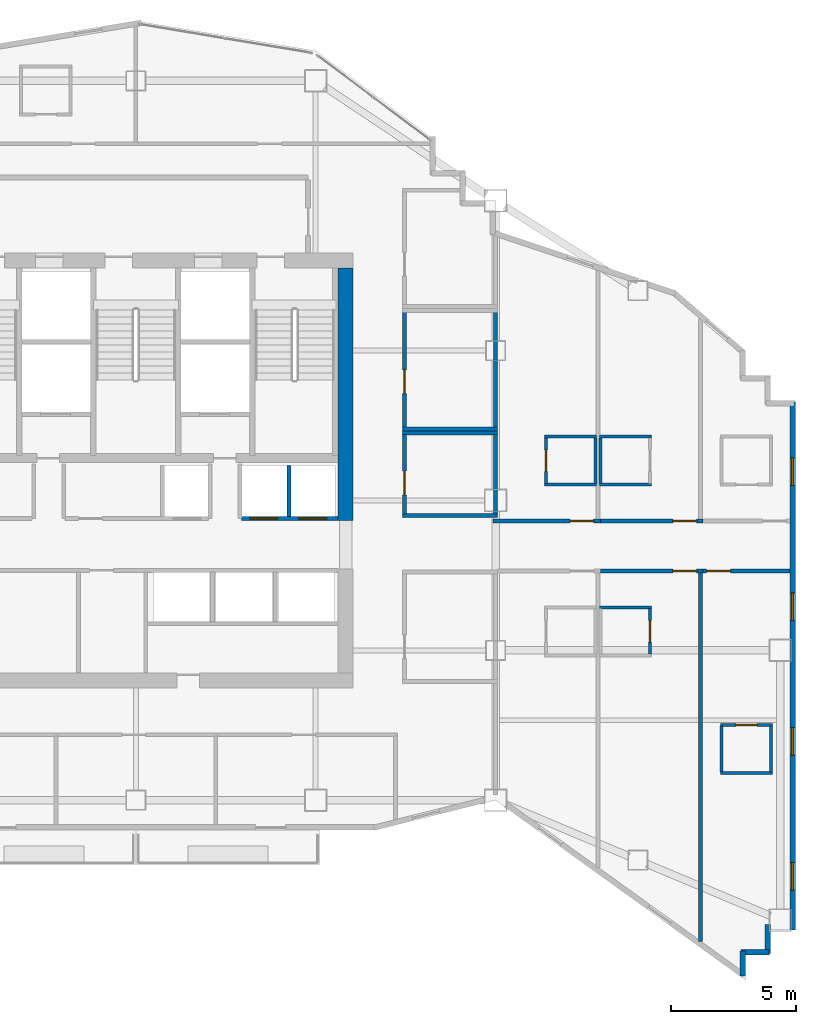
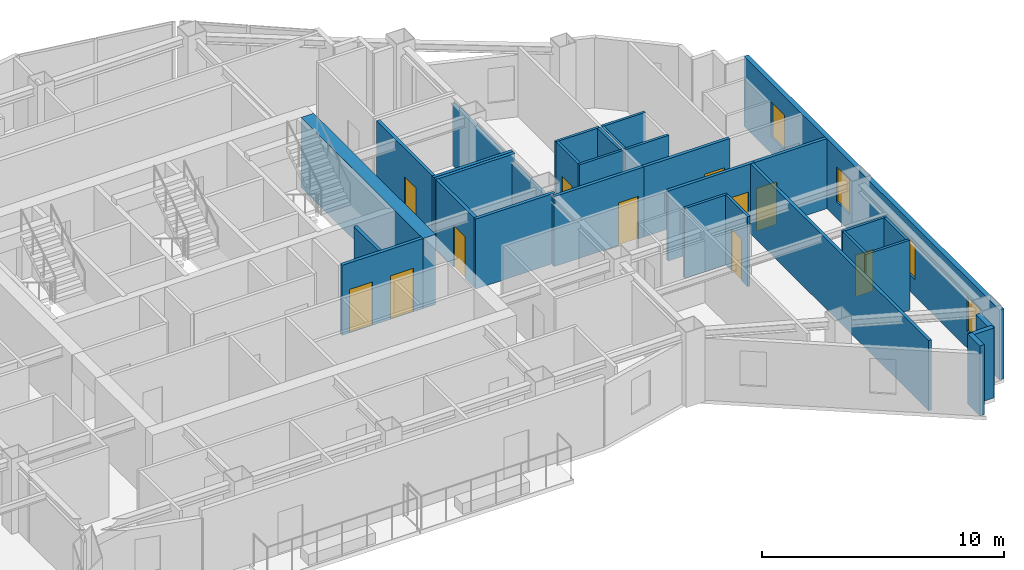
# One storey, part 8 of 11: 32 walls, 11 doors, 4 windows, 15 openings.
"""IFC4 building model written with IfcOpenShell, lengths in metres."""

from ifc_helpers import new_model, si_unit, direction, frame, frame_2d, origin, place, context, subcontext, project, spatial, rectangle, extrude, material, layer, layer_set, type_object, element, fill, save


model = new_model("IFC4")

# Units and contexts
model_context = context("Model", 3, precision=1e-05, world=origin(), true_north=direction((0.0, 1.0)))
body_context = subcontext(model_context, "Body", "Model", "MODEL_VIEW")
ifc_project = project(units=[si_unit("LENGTHUNIT", "METRE"), si_unit("AREAUNIT", "SQUARE_METRE"), si_unit("VOLUMEUNIT", "CUBIC_METRE"), si_unit("PLANEANGLEUNIT", "RADIAN"), si_unit("MASSUNIT", "GRAM", prefix="KILO")], contexts=[model_context])

# Site, building, storey
site_placement = place(None, origin())
site = spatial("IfcSite", under=ifc_project, at=site_placement, CompositionType="ELEMENT")
building_placement = place(site_placement, origin())
building = spatial("IfcBuilding", under=site, at=building_placement, Name="Haolan Belvedere Tower", CompositionType="ELEMENT")
storey_placement = place(building_placement, frame((0.0, 0.0, 226.800048828125)))
storey = spatial("IfcBuildingStorey", under=building, at=storey_placement, Name="L57", CompositionType="ELEMENT", Elevation=226.800048828125)

# Walls
ifc_material_1 = material(Name="Concrete C60/75", Category="concrete")
ifc_layer_1 = layer(ifc_material_1, 0.60009765625, Name="Concrete C60/75")
ifc_layer_set_1 = layer_set([ifc_layer_1], Name="Concrete C60/75")
wall_type_1 = type_object("IfcWallType", Name="WL-CORE-600", PredefinedType="SHEAR", material=ifc_layer_set_1)
wall_1_placement = place(storey_placement, frame((46.800048828125, 32.800048828125, 0.0), z_axis=(0.0, 0.0, 1.0), x_axis=(0.0, 1.0, 0.0)))
element("IfcWall", 1, at=wall_1_placement, inside=storey, type_object=wall_type_1, Name="L57 central core shear wall EN", PredefinedType="SHEAR", context=body_context, shape_type="SweptSolid", body=[
    extrude(rectangle(XDim=10.099853515625, YDim=0.60009765625, at=frame_2d((5.0498046875, 0.0))), origin(), (0.0, 0.0, 1.0), 3.5400390625),
])
ifc_material_2 = material(Name="Precast concrete C40/50", Category="concrete")
ifc_layer_2 = layer(ifc_material_2, 0.219970703125, Name="Precast concrete C40/50")
ifc_layer_set_2 = layer_set([ifc_layer_2], Name="Precast concrete C40/50")
wall_type_2 = type_object("IfcWallType", Name="WL-EXT-220", PredefinedType="SOLIDWALL", material=ifc_layer_set_2)
wall_2_placement = place(storey_placement, frame((62.68994140625, 14.559814453125, 0.0), z_axis=(0.0, 0.0, 1.0), x_axis=(0.0, 1.0, 0.0)))
element("IfcWall", 2, at=wall_2_placement, inside=storey, type_object=wall_type_2, Name="L57 pale-metal exterior spandrel wall 4.1", PredefinedType="SOLIDWALL", context=body_context, shape_type="SweptSolid", body=[
    extrude(rectangle(XDim=1.005126953125, YDim=0.219970703125, at=frame_2d((0.50244140625, 0.0))), origin(), (0.0, 0.0, 1.0), 3.5400390625),
])
wall_3_placement = place(storey_placement, frame((62.635009765625, 15.510009765625, 0.0), z_axis=(0.0, 0.0, 1.0), x_axis=(1.0, 0.0, 0.0)))
element("IfcWall", 3, at=wall_3_placement, inside=storey, type_object=wall_type_2, Name="L57 pale-metal exterior spandrel wall 5.1", PredefinedType="SOLIDWALL", context=body_context, shape_type="SweptSolid", body=[
    extrude(rectangle(XDim=1.110107421875, YDim=0.219970703125, at=frame_2d((0.55517578125, 0.0))), origin(), (0.0, 0.0, 1.0), 3.5400390625),
])
wall_4_placement = place(storey_placement, frame((63.68994140625, 15.455078125, 0.0), z_axis=(0.0, 0.0, 1.0), x_axis=(0.0, 1.0, 0.0)))
element("IfcWall", 4, at=wall_4_placement, inside=storey, type_object=wall_type_2, Name="L57 pale-metal exterior spandrel wall 6.1", PredefinedType="SOLIDWALL", context=body_context, shape_type="SweptSolid", body=[
    extrude(rectangle(XDim=1.1650390625, YDim=0.219970703125, at=frame_2d((0.58251953125, 0.0))), origin(), (0.0, 0.0, 1.0), 3.5400390625),
])

# Wall, openings, windows
wall_5_placement = place(storey_placement, frame((64.68994140625, 16.39990234375, 0.0), z_axis=(0.0, 0.0, 1.0), x_axis=(0.0, 1.0, 0.0)))
wall_5 = element("IfcWall", 5, at=wall_5_placement, inside=storey, type_object=wall_type_2, Name="L57 pale-metal exterior spandrel wall 8.1", PredefinedType="SOLIDWALL", context=body_context, shape_type="SweptSolid", body=[
    extrude(rectangle(XDim=21.14501953125, YDim=0.219970703125, at=frame_2d((10.572509765625, 0.0))), origin(), (0.0, 0.0, 1.0), 3.5400390625),
])
opening_1_placement = place(wall_5_placement, frame((1.60009765625, 0.0, 0.85009765625)))
opening_1 = element("IfcOpeningElement", 6, at=opening_1_placement, cuts=wall_5, Name="Opening W-03", PredefinedType="OPENING", context=body_context, shape_type="SweptSolid", body=[
    extrude(rectangle(XDim=1.10009765625, YDim=1.75, at=frame_2d((0.550048828125, 0.875))), frame((0.0, 0.119873046875, 0.0), z_axis=(0.0, -1.0, 0.0), x_axis=(1.0, 0.0, 0.0)), (0.0, 0.0, 1.0), 0.239990234375),
])
opening_2_placement = place(wall_5_placement, frame((7.0, 0.0, 0.85009765625)))
opening_2 = element("IfcOpeningElement", 7, at=opening_2_placement, cuts=wall_5, Name="Opening W-03", PredefinedType="OPENING", context=body_context, shape_type="SweptSolid", body=[
    extrude(rectangle(XDim=1.10009765625, YDim=1.75, at=frame_2d((0.550048828125, 0.875))), frame((0.0, 0.119873046875, 0.0), z_axis=(0.0, -1.0, 0.0), x_axis=(1.0, 0.0, 0.0)), (0.0, 0.0, 1.0), 0.239990234375),
])
opening_3_placement = place(wall_5_placement, frame((12.39990234375, 0.0, 0.85009765625)))
opening_3 = element("IfcOpeningElement", 8, at=opening_3_placement, cuts=wall_5, Name="Opening W-03", PredefinedType="OPENING", context=body_context, shape_type="SweptSolid", body=[
    extrude(rectangle(XDim=1.10009765625, YDim=1.75, at=frame_2d((0.550048828125, 0.875))), frame((0.0, 0.119873046875, 0.0), z_axis=(0.0, -1.0, 0.0), x_axis=(1.0, 0.0, 0.0)), (0.0, 0.0, 1.0), 0.239990234375),
])
opening_4_placement = place(wall_5_placement, frame((17.800048828125, 0.0, 0.85009765625)))
opening_4 = element("IfcOpeningElement", 9, at=opening_4_placement, cuts=wall_5, Name="Opening W-03", PredefinedType="OPENING", context=body_context, shape_type="SweptSolid", body=[
    extrude(rectangle(XDim=1.10009765625, YDim=1.75, at=frame_2d((0.550048828125, 0.875))), frame((0.0, 0.119873046875, 0.0), z_axis=(0.0, -1.0, 0.0), x_axis=(1.0, 0.0, 0.0)), (0.0, 0.0, 1.0), 0.239990234375),
])
ifc_material_3 = material(Name="Anodised aluminium 6063-T6 and Low-E glass", Category="aluminium")
window_type = type_object("IfcWindowType", Name="WN-DECO-Z3", PartitioningType="SINGLE_PANEL", PredefinedType="WINDOW", material=ifc_material_3)
window_1_placement = place(opening_1_placement, origin())
window_1 = element("IfcWindow", 10, at=window_1_placement, inside=storey, type_object=window_type, Name="L57 Art Deco chevron window 1", OverallHeight=1.75, OverallWidth=1.10009765625, PartitioningType="SINGLE_PANEL", PredefinedType="WINDOW", context=body_context, shape_type="SweptSolid", body=[
    extrude(rectangle(XDim=1.10009765625, YDim=1.75, at=frame_2d((0.550048828125, 0.875))), frame((0.0, 0.030029296875, 0.0), z_axis=(0.0, -1.0, 0.0), x_axis=(1.0, 0.0, 0.0)), (0.0, 0.0, 1.0), 0.06005859375),
])
fill(opening_1, window_1)
window_2_placement = place(opening_2_placement, origin())
window_2 = element("IfcWindow", 11, at=window_2_placement, inside=storey, type_object=window_type, Name="L57 Art Deco chevron window 2", OverallHeight=1.75, OverallWidth=1.10009765625, PartitioningType="SINGLE_PANEL", PredefinedType="WINDOW", context=body_context, shape_type="SweptSolid", body=[
    extrude(rectangle(XDim=1.10009765625, YDim=1.75, at=frame_2d((0.550048828125, 0.875))), frame((0.0, 0.030029296875, 0.0), z_axis=(0.0, -1.0, 0.0), x_axis=(1.0, 0.0, 0.0)), (0.0, 0.0, 1.0), 0.06005859375),
])
fill(opening_2, window_2)
window_3_placement = place(opening_3_placement, origin())
window_3 = element("IfcWindow", 12, at=window_3_placement, inside=storey, type_object=window_type, Name="L57 Art Deco chevron window 3", OverallHeight=1.75, OverallWidth=1.10009765625, PartitioningType="SINGLE_PANEL", PredefinedType="WINDOW", context=body_context, shape_type="SweptSolid", body=[
    extrude(rectangle(XDim=1.10009765625, YDim=1.75, at=frame_2d((0.550048828125, 0.875))), frame((0.0, 0.030029296875, 0.0), z_axis=(0.0, -1.0, 0.0), x_axis=(1.0, 0.0, 0.0)), (0.0, 0.0, 1.0), 0.06005859375),
])
fill(opening_3, window_3)
window_4_placement = place(opening_4_placement, origin())
window_4 = element("IfcWindow", 13, at=window_4_placement, inside=storey, type_object=window_type, Name="L57 Art Deco chevron window 4", OverallHeight=1.75, OverallWidth=1.10009765625, PartitioningType="SINGLE_PANEL", PredefinedType="WINDOW", context=body_context, shape_type="SweptSolid", body=[
    extrude(rectangle(XDim=1.10009765625, YDim=1.75, at=frame_2d((0.550048828125, 0.875))), frame((0.0, 0.030029296875, 0.0), z_axis=(0.0, -1.0, 0.0), x_axis=(1.0, 0.0, 0.0)), (0.0, 0.0, 1.0), 0.06005859375),
])
fill(opening_4, window_4)

# Walls
ifc_material_4 = material(Name="Double gypsum acoustic stud partition", Category="masonry")
ifc_layer_3 = layer(ifc_material_4, 0.14990234375, Name="Double gypsum acoustic stud partition")
ifc_layer_set_3 = layer_set([ifc_layer_3], Name="Double gypsum acoustic stud partition")
wall_type_3 = type_object("IfcWallType", Name="WL-PART-150", PredefinedType="PARTITIONING", material=ifc_layer_set_3)
for number, where, z_axis, x_axis, name in (
    (14, (49.080078125, 36.300048828125, 0.0), (0.0, 0.0, 1.0), (1.0, 0.0, 0.0), "L57 interior partition IW-L57-AWC-N"),
    (15, (49.080078125, 33.0, 0.0), (0.0, 0.0, 1.0), (1.0, 0.0, 0.0), "L57 interior partition IW-L57-AWC-S"),
):
    element("IfcWall", number, at=place(storey_placement, frame(where, z_axis=z_axis, x_axis=x_axis)), inside=storey, type_object=wall_type_3, Name=name, PredefinedType="PARTITIONING", context=body_context, shape_type="SweptSolid", body=[
        extrude(rectangle(XDim=3.7998046875, YDim=0.14990234375, at=frame_2d((1.89990234375, 0.0))), origin(), (0.0, 0.0, 1.0), 3.5400390625),
    ])

# Wall, opening, door
wall_6_placement = place(storey_placement, frame((49.159912109375, 33.06005859375, 0.0), z_axis=(0.0, 0.0, 1.0), x_axis=(0.0, 1.0, 0.0)))
wall_6 = element("IfcWall", 16, at=wall_6_placement, inside=storey, type_object=wall_type_3, Name="L57 interior partition IW-L57-AWC-W", PredefinedType="PARTITIONING", context=body_context, shape_type="SweptSolid", body=[
    extrude(rectangle(XDim=3.179931640625, YDim=0.14990234375, at=frame_2d((1.58984375, 0.0))), origin(), (0.0, 0.0, 1.0), 3.5400390625),
])
opening_5_placement = place(wall_6_placement, frame((0.760009765625, 0.0, 0.0)))
opening_5 = element("IfcOpeningElement", 17, at=opening_5_placement, cuts=wall_6, Name="Opening ID-03", PredefinedType="OPENING", context=body_context, shape_type="SweptSolid", body=[
    extrude(rectangle(XDim=0.949951171875, YDim=2.1201171875, at=frame_2d((0.47509765625, 1.06005859375))), frame((0.0, 0.0849609375, 0.0), z_axis=(0.0, -1.0, 0.0), x_axis=(1.0, 0.0, 0.0)), (0.0, 0.0, 1.0), 0.169921875),
])
ifc_material_5 = material(Name="Painted solid-core timber", Category="wood")
door_type_1 = type_object("IfcDoorType", Name="DR-INT-950", OperationType="NOTDEFINED", PredefinedType="DOOR", material=ifc_material_5)
door_1_placement = place(opening_5_placement, origin())
door_1 = element("IfcDoor", 18, at=door_1_placement, inside=storey, type_object=door_type_1, Name="L57 door ID-L57-AWC", OperationType="SINGLE_SWING_LEFT", OverallHeight=2.1201171875, OverallWidth=0.949951171875, PredefinedType="DOOR", context=body_context, shape_type="SweptSolid", body=[
    extrude(rectangle(XDim=0.949951171875, YDim=2.1201171875, at=frame_2d((0.47509765625, 1.06005859375))), frame((0.0, 0.02490234375, 0.0), z_axis=(0.0, -1.0, 0.0), x_axis=(1.0, 0.0, 0.0)), (0.0, 0.0, 1.0), 0.050048828125),
])
fill(opening_5, door_1)

# Walls
wall_7_placement = place(storey_placement, frame((52.800048828125, 33.06005859375, 0.0), z_axis=(0.0, 0.0, 1.0), x_axis=(0.0, 1.0, 0.0)))
element("IfcWall", 19, at=wall_7_placement, inside=storey, type_object=wall_type_3, Name="L57 interior partition IW-L57-AWC-E", PredefinedType="PARTITIONING", context=body_context, shape_type="SweptSolid", body=[
    extrude(rectangle(XDim=3.179931640625, YDim=0.14990234375, at=frame_2d((1.58984375, 0.0))), origin(), (0.0, 0.0, 1.0), 3.135009765625),
])
wall_8_placement = place(storey_placement, frame((49.080078125, 36.4599609375, 0.0), z_axis=(0.0, 0.0, 1.0), x_axis=(1.0, 0.0, 0.0)))
element("IfcWall", 20, at=wall_8_placement, inside=storey, type_object=wall_type_3, Name="L57 interior partition IW-L57-STY-S", PredefinedType="PARTITIONING", context=body_context, shape_type="SweptSolid", body=[
    extrude(rectangle(XDim=3.7998046875, YDim=0.14990234375, at=frame_2d((1.89990234375, 0.0))), origin(), (0.0, 0.0, 1.0), 3.5400390625),
])

# Wall, opening, door
wall_9_placement = place(storey_placement, frame((49.159912109375, 36.52001953125, 0.0), z_axis=(0.0, 0.0, 1.0), x_axis=(0.0, 1.0, 0.0)))
wall_9 = element("IfcWall", 21, at=wall_9_placement, inside=storey, type_object=wall_type_3, Name="L57 interior partition IW-L57-STY-W", PredefinedType="PARTITIONING", context=body_context, shape_type="SweptSolid", body=[
    extrude(rectangle(XDim=4.619873046875, YDim=0.14990234375, at=frame_2d((2.31005859375, 0.0))), origin(), (0.0, 0.0, 1.0), 3.5400390625),
])
opening_6_placement = place(wall_9_placement, frame((1.360107421875, 0.0, 0.0)))
opening_6 = element("IfcOpeningElement", 22, at=opening_6_placement, cuts=wall_9, Name="Opening ID-03", PredefinedType="OPENING", context=body_context, shape_type="SweptSolid", body=[
    extrude(rectangle(XDim=0.949951171875, YDim=2.1201171875, at=frame_2d((0.47509765625, 1.06005859375))), frame((0.0, 0.0849609375, 0.0), z_axis=(0.0, -1.0, 0.0), x_axis=(1.0, 0.0, 0.0)), (0.0, 0.0, 1.0), 0.169921875),
])
door_2_placement = place(opening_6_placement, origin())
door_2 = element("IfcDoor", 23, at=door_2_placement, inside=storey, type_object=door_type_1, Name="L57 door ID-L57-STY", OperationType="SINGLE_SWING_RIGHT", OverallHeight=2.1201171875, OverallWidth=0.949951171875, PredefinedType="DOOR", context=body_context, shape_type="SweptSolid", body=[
    extrude(rectangle(XDim=0.949951171875, YDim=2.1201171875, at=frame_2d((0.47509765625, 1.06005859375))), frame((0.0, 0.02490234375, 0.0), z_axis=(0.0, -1.0, 0.0), x_axis=(1.0, 0.0, 0.0)), (0.0, 0.0, 1.0), 0.050048828125),
])
fill(opening_6, door_2)

# Wall
wall_10_placement = place(storey_placement, frame((52.800048828125, 36.52001953125, 0.0), z_axis=(0.0, 0.0, 1.0), x_axis=(0.0, 1.0, 0.0)))
element("IfcWall", 24, at=wall_10_placement, inside=storey, type_object=wall_type_3, Name="L57 interior partition IW-L57-STY-E", PredefinedType="PARTITIONING", context=body_context, shape_type="SweptSolid", body=[
    extrude(rectangle(XDim=4.619873046875, YDim=0.14990234375, at=frame_2d((2.31005859375, 0.0))), origin(), (0.0, 0.0, 1.0), 3.135009765625),
])

# Wall, opening, door
wall_11_placement = place(storey_placement, frame((52.699951171875, 32.780029296875, 0.0), z_axis=(0.0, 0.0, 1.0), x_axis=(1.0, 0.0, 0.0)))
wall_11 = element("IfcWall", 25, at=wall_11_placement, inside=storey, type_object=wall_type_3, Name="L57 interior partition IW-L57-T4N1-S", PredefinedType="PARTITIONING", context=body_context, shape_type="SweptSolid", body=[
    extrude(rectangle(XDim=4.300048828125, YDim=0.14990234375, at=frame_2d((2.14990234375, 0.0))), origin(), (0.0, 0.0, 1.0), 3.5400390625),
])
opening_7_placement = place(wall_11_placement, frame((3.081787109375, 0.0, 0.0)))
opening_7 = element("IfcOpeningElement", 26, at=opening_7_placement, cuts=wall_11, Name="Opening ID-02", PredefinedType="OPENING", context=body_context, shape_type="SweptSolid", body=[
    extrude(rectangle(XDim=0.949951171875, YDim=2.14990234375, at=frame_2d((0.47509765625, 1.074951171875))), frame((0.0, 0.0849609375, 0.0), z_axis=(0.0, -1.0, 0.0), x_axis=(1.0, 0.0, 0.0)), (0.0, 0.0, 1.0), 0.169921875),
])
ifc_material_6 = material(Name="Acoustic oak veneer fire-rated timber", Category="wood")
door_type_2 = type_object("IfcDoorType", Name="DR-GUEST-950", OperationType="NOTDEFINED", PredefinedType="DOOR", material=ifc_material_6)
door_3_placement = place(opening_7_placement, origin())
door_3 = element("IfcDoor", 27, at=door_3_placement, inside=storey, type_object=door_type_2, Name="L57 door ID-L57-T4N1-ENT", OperationType="SINGLE_SWING_LEFT", OverallHeight=2.14990234375, OverallWidth=0.949951171875, PredefinedType="DOOR", context=body_context, shape_type="SweptSolid", body=[
    extrude(rectangle(XDim=0.949951171875, YDim=2.14990234375, at=frame_2d((0.47509765625, 1.074951171875))), frame((0.0, 0.02490234375, 0.0), z_axis=(0.0, -1.0, 0.0), x_axis=(1.0, 0.0, 0.0)), (0.0, 0.0, 1.0), 0.050048828125),
])
fill(opening_7, door_3)

wall_12_placement = place(storey_placement, frame((57.001953125, 32.780029296875, 0.0), z_axis=(0.0, 0.0, 1.0), x_axis=(1.0, 0.0, 0.0)))
wall_12 = element("IfcWall", 28, at=wall_12_placement, inside=storey, type_object=wall_type_3, Name="L57 interior partition IW-L57-T4N2-S", PredefinedType="PARTITIONING", context=body_context, shape_type="SweptSolid", body=[
    extrude(rectangle(XDim=4.108154296875, YDim=0.14990234375, at=frame_2d((2.05419921875, 0.0))), origin(), (0.0, 0.0, 1.0), 3.5400390625),
])
opening_8_placement = place(wall_12_placement, frame((2.896484375, 0.0, 0.0)))
opening_8 = element("IfcOpeningElement", 29, at=opening_8_placement, cuts=wall_12, Name="Opening ID-02", PredefinedType="OPENING", context=body_context, shape_type="SweptSolid", body=[
    extrude(rectangle(XDim=0.949951171875, YDim=2.14990234375, at=frame_2d((0.47509765625, 1.074951171875))), frame((0.0, 0.0849609375, 0.0), z_axis=(0.0, -1.0, 0.0), x_axis=(1.0, 0.0, 0.0)), (0.0, 0.0, 1.0), 0.169921875),
])
door_4_placement = place(opening_8_placement, origin())
door_4 = element("IfcDoor", 30, at=door_4_placement, inside=storey, type_object=door_type_2, Name="L57 door ID-L57-T4N2-ENT", OperationType="SINGLE_SWING_RIGHT", OverallHeight=2.14990234375, OverallWidth=0.949951171875, PredefinedType="DOOR", context=body_context, shape_type="SweptSolid", body=[
    extrude(rectangle(XDim=0.949951171875, YDim=2.14990234375, at=frame_2d((0.47509765625, 1.074951171875))), frame((0.0, 0.02490234375, 0.0), z_axis=(0.0, -1.0, 0.0), x_axis=(1.0, 0.0, 0.0)), (0.0, 0.0, 1.0), 0.050048828125),
])
fill(opening_8, door_4)

wall_13_placement = place(storey_placement, frame((57.001953125, 30.77001953125, 0.0), z_axis=(0.0, 0.0, 1.0), x_axis=(1.0, 0.0, 0.0)))
wall_13 = element("IfcWall", 31, at=wall_13_placement, inside=storey, type_object=wall_type_3, Name="L57 interior partition IW-L57-T4S2-N", PredefinedType="PARTITIONING", context=body_context, shape_type="SweptSolid", body=[
    extrude(rectangle(XDim=4.108154296875, YDim=0.14990234375, at=frame_2d((2.05419921875, 0.0))), origin(), (0.0, 0.0, 1.0), 3.5400390625),
])
opening_9_placement = place(wall_13_placement, frame((3.846435546875, 0.0, 0.0), z_axis=(0.0, 0.0, 1.0), x_axis=(-1.0, 0.0, 0.0)))
opening_9 = element("IfcOpeningElement", 32, at=opening_9_placement, cuts=wall_13, Name="Opening ID-02", PredefinedType="OPENING", context=body_context, shape_type="SweptSolid", body=[
    extrude(rectangle(XDim=0.949951171875, YDim=2.14990234375, at=frame_2d((0.47509765625, 1.074951171875))), frame((0.0, 0.0849609375, 0.0), z_axis=(0.0, -1.0, 0.0), x_axis=(1.0, 0.0, 0.0)), (0.0, 0.0, 1.0), 0.169921875),
])
door_5_placement = place(opening_9_placement, origin())
door_5 = element("IfcDoor", 33, at=door_5_placement, inside=storey, type_object=door_type_2, Name="L57 door ID-L57-T4S2-ENT", OperationType="SINGLE_SWING_LEFT", OverallHeight=2.14990234375, OverallWidth=0.949951171875, PredefinedType="DOOR", context=body_context, shape_type="SweptSolid", body=[
    extrude(rectangle(XDim=0.949951171875, YDim=2.14990234375, at=frame_2d((0.47509765625, 1.074951171875))), frame((0.0, 0.02490234375, 0.0), z_axis=(0.0, -1.0, 0.0), x_axis=(1.0, 0.0, 0.0)), (0.0, 0.0, 1.0), 0.050048828125),
])
fill(opening_9, door_5)

# Wall
wall_14_placement = place(storey_placement, frame((61.010009765625, 15.949951171875, 0.0), z_axis=(0.0, 0.0, 1.0), x_axis=(0.0, 1.0, 0.0)))
element("IfcWall", 34, at=wall_14_placement, inside=storey, type_object=wall_type_3, Name="L57 interior partition IW-L57-T4S2-E", PredefinedType="PARTITIONING", context=body_context, shape_type="SweptSolid", body=[
    extrude(rectangle(XDim=14.760009765625, YDim=0.14990234375, at=frame_2d((7.3798828125, 0.0))), origin(), (0.0, 0.0, 1.0), 3.5400390625),
])

# Wall, opening, door
wall_15_placement = place(storey_placement, frame((61.112060546875, 30.77001953125, 0.0), z_axis=(0.0, 0.0, 1.0), x_axis=(1.0, 0.0, 0.0)))
wall_15 = element("IfcWall", 35, at=wall_15_placement, inside=storey, type_object=wall_type_3, Name="L57 interior partition IW-L57-T4S3-N", PredefinedType="PARTITIONING", context=body_context, shape_type="SweptSolid", body=[
    extrude(rectangle(XDim=3.475830078125, YDim=0.14990234375, at=frame_2d((1.73779296875, 0.0))), origin(), (0.0, 0.0, 1.0), 3.5400390625),
])
opening_10_placement = place(wall_15_placement, frame((1.08984375, 0.0, 0.0), z_axis=(0.0, 0.0, 1.0), x_axis=(-1.0, 0.0, 0.0)))
opening_10 = element("IfcOpeningElement", 36, at=opening_10_placement, cuts=wall_15, Name="Opening ID-02", PredefinedType="OPENING", context=body_context, shape_type="SweptSolid", body=[
    extrude(rectangle(XDim=0.949951171875, YDim=2.14990234375, at=frame_2d((0.47509765625, 1.074951171875))), frame((0.0, 0.0849609375, 0.0), z_axis=(0.0, -1.0, 0.0), x_axis=(1.0, 0.0, 0.0)), (0.0, 0.0, 1.0), 0.169921875),
])
door_6_placement = place(opening_10_placement, origin())
door_6 = element("IfcDoor", 37, at=door_6_placement, inside=storey, type_object=door_type_2, Name="L57 door ID-L57-T4S3-ENT", OperationType="SINGLE_SWING_RIGHT", OverallHeight=2.14990234375, OverallWidth=0.949951171875, PredefinedType="DOOR", context=body_context, shape_type="SweptSolid", body=[
    extrude(rectangle(XDim=0.949951171875, YDim=2.14990234375, at=frame_2d((0.47509765625, 1.074951171875))), frame((0.0, 0.02490234375, 0.0), z_axis=(0.0, -1.0, 0.0), x_axis=(1.0, 0.0, 0.0)), (0.0, 0.0, 1.0), 0.050048828125),
])
fill(opening_10, door_6)

# Wall, openings, doors
ifc_material_7 = material(Name="Gypsum fire shaftwall assembly", Category="masonry")
ifc_layer_4 = layer(ifc_material_7, 0.1650390625, Name="Gypsum fire shaftwall assembly")
ifc_layer_set_4 = layer_set([ifc_layer_4], Name="Gypsum fire shaftwall assembly")
wall_type_4 = type_object("IfcWallType", Name="WL-SHAFT-160", PredefinedType="SOLIDWALL", material=ifc_layer_set_4)
wall_16_placement = place(storey_placement, frame((42.6298828125, 32.8798828125, 0.0), z_axis=(0.0, 0.0, 1.0), x_axis=(1.0, 0.0, 0.0)))
wall_16 = element("IfcWall", 38, at=wall_16_placement, inside=storey, type_object=wall_type_4, Name="L57 interior partition IW-L57-ROW-PN3", PredefinedType="SOLIDWALL", context=body_context, shape_type="SweptSolid", body=[
    extrude(rectangle(XDim=3.8701171875, YDim=0.159912109375, at=frame_2d((1.93505859375, 0.0))), origin(), (0.0, 0.0, 1.0), 3.5400390625),
])
opening_11_placement = place(wall_16_placement, frame((1.4501953125, 0.0, 0.0), z_axis=(0.0, 0.0, 1.0), x_axis=(-1.0, 0.0, 0.0)))
opening_11 = element("IfcOpeningElement", 39, at=opening_11_placement, cuts=wall_16, Name="Opening LD-01", PredefinedType="OPENING", context=body_context, shape_type="SweptSolid", body=[
    extrude(rectangle(XDim=1.10009765625, YDim=2.199951171875, at=frame_2d((0.550048828125, 1.10009765625))), frame((0.0, 0.08984375, 0.0), z_axis=(0.0, -1.0, 0.0), x_axis=(1.0, 0.0, 0.0)), (0.0, 0.0, 1.0), 0.179931640625),
])
opening_12_placement = place(wall_16_placement, frame((3.41015625, 0.0, 0.0), z_axis=(0.0, 0.0, 1.0), x_axis=(-1.0, 0.0, 0.0)))
opening_12 = element("IfcOpeningElement", 40, at=opening_12_placement, cuts=wall_16, Name="Opening LD-01", PredefinedType="OPENING", context=body_context, shape_type="SweptSolid", body=[
    extrude(rectangle(XDim=1.10009765625, YDim=2.199951171875, at=frame_2d((0.550048828125, 1.10009765625))), frame((0.0, 0.08984375, 0.0), z_axis=(0.0, -1.0, 0.0), x_axis=(1.0, 0.0, 0.0)), (0.0, 0.0, 1.0), 0.179931640625),
])
ifc_material_8 = material(Name="Brushed champagne stainless steel 316L", Category="steel")
door_type_3 = type_object("IfcDoorType", Name="DR-LIFT-1100", OperationType="SLIDING_TO_LEFT", PredefinedType="DOOR", material=ifc_material_8)
door_7_placement = place(opening_11_placement, origin())
door_7 = element("IfcDoor", 41, at=door_7_placement, inside=storey, type_object=door_type_3, Name="L57 door ID-L57-LD-PH2", OperationType="SLIDING_TO_RIGHT", OverallHeight=2.199951171875, OverallWidth=1.10009765625, PredefinedType="DOOR", context=body_context, shape_type="SweptSolid", body=[
    extrude(rectangle(XDim=1.10009765625, YDim=2.199951171875, at=frame_2d((0.550048828125, 1.10009765625))), frame((0.0, 0.02490234375, 0.0), z_axis=(0.0, -1.0, 0.0), x_axis=(1.0, 0.0, 0.0)), (0.0, 0.0, 1.0), 0.050048828125),
])
fill(opening_11, door_7)
door_8_placement = place(opening_12_placement, origin())
door_8 = element("IfcDoor", 42, at=door_8_placement, inside=storey, type_object=door_type_3, Name="L57 door ID-L57-LD-PH3", OperationType="SLIDING_TO_RIGHT", OverallHeight=2.199951171875, OverallWidth=1.10009765625, PredefinedType="DOOR", context=body_context, shape_type="SweptSolid", body=[
    extrude(rectangle(XDim=1.10009765625, YDim=2.199951171875, at=frame_2d((0.550048828125, 1.10009765625))), frame((0.0, 0.02490234375, 0.0), z_axis=(0.0, -1.0, 0.0), x_axis=(1.0, 0.0, 0.0)), (0.0, 0.0, 1.0), 0.050048828125),
])
fill(opening_12, door_8)

# Walls
wall_17_placement = place(storey_placement, frame((44.530029296875, 32.949951171875, 0.0), z_axis=(0.0, 0.0, 1.0), x_axis=(0.0, 1.0, 0.0)))
element("IfcWall", 43, at=wall_17_placement, inside=storey, type_object=wall_type_4, Name="L57 interior partition IW-L57-DIV-PH2", PredefinedType="SOLIDWALL", context=body_context, shape_type="SweptSolid", body=[
    extrude(rectangle(XDim=2.050048828125, YDim=0.14990234375, at=frame_2d((1.02490234375, 0.0))), origin(), (0.0, 0.0, 1.0), 3.5400390625),
])
ifc_material_9 = material(Name="Moisture-resistant gypsum tile partition", Category="masonry")
ifc_layer_5 = layer(ifc_material_9, 0.1201171875, Name="Moisture-resistant gypsum tile partition")
ifc_layer_set_5 = layer_set([ifc_layer_5], Name="Moisture-resistant gypsum tile partition")
wall_type_5 = type_object("IfcWallType", Name="WL-WET-120", PredefinedType="PARTITIONING", material=ifc_layer_set_5)
for number, where, z_axis, x_axis, name in (
    (44, (54.760009765625, 36.14990234375, 0.0), (0.0, 0.0, 1.0), (1.0, 0.0, 0.0), "L57 interior partition IW-L57-T4N1-BN"),
    (45, (54.760009765625, 34.22998046875, 0.0), (0.0, 0.0, 1.0), (1.0, 0.0, 0.0), "L57 interior partition IW-L57-T4N1-BS"),
):
    element("IfcWall", number, at=place(storey_placement, frame(where, z_axis=z_axis, x_axis=x_axis)), inside=storey, type_object=wall_type_5, Name=name, PredefinedType="PARTITIONING", context=body_context, shape_type="SweptSolid", body=[
        extrude(rectangle(XDim=2.080078125, YDim=0.1201171875, at=frame_2d((1.0400390625, 0.0))), origin(), (0.0, 0.0, 1.0), 3.5400390625),
    ])

# Wall, opening, door
wall_18_placement = place(storey_placement, frame((54.820068359375, 34.27490234375, 0.0), z_axis=(0.0, 0.0, 1.0), x_axis=(0.0, 1.0, 0.0)))
wall_18 = element("IfcWall", 46, at=wall_18_placement, inside=storey, type_object=wall_type_5, Name="L57 interior partition IW-L57-T4N1-BW", PredefinedType="PARTITIONING", context=body_context, shape_type="SweptSolid", body=[
    extrude(rectangle(XDim=1.830078125, YDim=0.1201171875, at=frame_2d((0.9150390625, 0.0))), origin(), (0.0, 0.0, 1.0), 3.5400390625),
])
opening_13_placement = place(wall_18_placement, frame((1.340087890625, 0.0, 0.0), z_axis=(0.0, 0.0, 1.0), x_axis=(-1.0, 0.0, 0.0)))
opening_13 = element("IfcOpeningElement", 47, at=opening_13_placement, cuts=wall_18, Name="Opening ID-05", PredefinedType="OPENING", context=body_context, shape_type="SweptSolid", body=[
    extrude(rectangle(XDim=0.85009765625, YDim=2.10009765625, at=frame_2d((0.425048828125, 1.050048828125))), frame((0.0, 0.070068359375, 0.0), z_axis=(0.0, -1.0, 0.0), x_axis=(1.0, 0.0, 0.0)), (0.0, 0.0, 1.0), 0.14013671875),
])
ifc_material_10 = material(Name="Moisture-resistant lacquered timber", Category="wood")
door_type_4 = type_object("IfcDoorType", Name="DR-BATH-850", OperationType="NOTDEFINED", PredefinedType="DOOR", material=ifc_material_10)
door_9_placement = place(opening_13_placement, origin())
door_9 = element("IfcDoor", 48, at=door_9_placement, inside=storey, type_object=door_type_4, Name="L57 door ID-L57-T4N1-BATH", OperationType="SINGLE_SWING_RIGHT", OverallHeight=2.10009765625, OverallWidth=0.85009765625, PredefinedType="DOOR", context=body_context, shape_type="SweptSolid", body=[
    extrude(rectangle(XDim=0.85009765625, YDim=2.10009765625, at=frame_2d((0.425048828125, 1.050048828125))), frame((0.0, 0.02490234375, 0.0), z_axis=(0.0, -1.0, 0.0), x_axis=(1.0, 0.0, 0.0)), (0.0, 0.0, 1.0), 0.050048828125),
])
fill(opening_13, door_9)

# Walls
wall_19_placement = place(storey_placement, frame((56.800048828125, 34.27490234375, 0.0), z_axis=(0.0, 0.0, 1.0), x_axis=(0.0, 1.0, 0.0)))
element("IfcWall", 49, at=wall_19_placement, inside=storey, type_object=wall_type_5, Name="L57 interior partition IW-L57-T4N1-BE", PredefinedType="PARTITIONING", context=body_context, shape_type="SweptSolid", body=[
    extrude(rectangle(XDim=1.830078125, YDim=0.1201171875, at=frame_2d((0.9150390625, 0.0))), origin(), (0.0, 0.0, 1.0), 3.5400390625),
])
for number, where, z_axis, x_axis, name in (
    (50, (56.9599609375, 36.14990234375, 0.0), (0.0, 0.0, 1.0), (1.0, 0.0, 0.0), "L57 interior partition IW-L57-T4N2-BN"),
    (51, (56.9599609375, 34.22998046875, 0.0), (0.0, 0.0, 1.0), (1.0, 0.0, 0.0), "L57 interior partition IW-L57-T4N2-BS"),
):
    element("IfcWall", number, at=place(storey_placement, frame(where, z_axis=z_axis, x_axis=x_axis)), inside=storey, type_object=wall_type_5, Name=name, PredefinedType="PARTITIONING", context=body_context, shape_type="SweptSolid", body=[
        extrude(rectangle(XDim=2.080078125, YDim=0.1201171875, at=frame_2d((1.0400390625, 0.0))), origin(), (0.0, 0.0, 1.0), 3.5400390625),
    ])
wall_20_placement = place(storey_placement, frame((57.0, 34.27490234375, 0.0), z_axis=(0.0, 0.0, 1.0), x_axis=(0.0, 1.0, 0.0)))
element("IfcWall", 52, at=wall_20_placement, inside=storey, type_object=wall_type_5, Name="L57 interior partition IW-L57-T4N2-BW", PredefinedType="PARTITIONING", context=body_context, shape_type="SweptSolid", body=[
    extrude(rectangle(XDim=1.830078125, YDim=0.1201171875, at=frame_2d((0.9150390625, 0.0))), origin(), (0.0, 0.0, 1.0), 3.5400390625),
])
wall_21_placement = place(storey_placement, frame((56.9599609375, 29.320068359375, 0.0), z_axis=(0.0, 0.0, 1.0), x_axis=(1.0, 0.0, 0.0)))
element("IfcWall", 53, at=wall_21_placement, inside=storey, type_object=wall_type_5, Name="L57 interior partition IW-L57-T4S2-BN", PredefinedType="PARTITIONING", context=body_context, shape_type="SweptSolid", body=[
    extrude(rectangle(XDim=2.080078125, YDim=0.1201171875, at=frame_2d((1.0400390625, 0.0))), origin(), (0.0, 0.0, 1.0), 3.5400390625),
])

# Wall, opening, door
wall_22_placement = place(storey_placement, frame((58.97998046875, 27.445068359375, 0.0), z_axis=(0.0, 0.0, 1.0), x_axis=(0.0, 1.0, 0.0)))
wall_22 = element("IfcWall", 54, at=wall_22_placement, inside=storey, type_object=wall_type_5, Name="L57 interior partition IW-L57-T4S2-BE", PredefinedType="PARTITIONING", context=body_context, shape_type="SweptSolid", body=[
    extrude(rectangle(XDim=1.829833984375, YDim=0.1201171875, at=frame_2d((0.9150390625, 0.0))), origin(), (0.0, 0.0, 1.0), 3.5400390625),
])
opening_14_placement = place(wall_22_placement, frame((0.489990234375, 0.0, 0.0)))
opening_14 = element("IfcOpeningElement", 55, at=opening_14_placement, cuts=wall_22, Name="Opening ID-05", PredefinedType="OPENING", context=body_context, shape_type="SweptSolid", body=[
    extrude(rectangle(XDim=0.85009765625, YDim=2.10009765625, at=frame_2d((0.425048828125, 1.050048828125))), frame((0.0, 0.070068359375, 0.0), z_axis=(0.0, -1.0, 0.0), x_axis=(1.0, 0.0, 0.0)), (0.0, 0.0, 1.0), 0.14013671875),
])
door_10_placement = place(opening_14_placement, origin())
door_10 = element("IfcDoor", 56, at=door_10_placement, inside=storey, type_object=door_type_4, Name="L57 door ID-L57-T4S2-BATH", OperationType="SINGLE_SWING_RIGHT", OverallHeight=2.10009765625, OverallWidth=0.85009765625, PredefinedType="DOOR", context=body_context, shape_type="SweptSolid", body=[
    extrude(rectangle(XDim=0.85009765625, YDim=2.10009765625, at=frame_2d((0.425048828125, 1.050048828125))), frame((0.0, 0.02490234375, 0.0), z_axis=(0.0, -1.0, 0.0), x_axis=(1.0, 0.0, 0.0)), (0.0, 0.0, 1.0), 0.050048828125),
])
fill(opening_14, door_10)

wall_23_placement = place(storey_placement, frame((61.797119140625, 24.610107421875, 0.0), z_axis=(0.0, 0.0, 1.0), x_axis=(1.0, 0.0, 0.0)))
wall_23 = element("IfcWall", 57, at=wall_23_placement, inside=storey, type_object=wall_type_5, Name="L57 interior partition IW-L57-T4S3-BN", PredefinedType="PARTITIONING", context=body_context, shape_type="SweptSolid", body=[
    extrude(rectangle(XDim=2.099853515625, YDim=0.1201171875, at=frame_2d((1.0498046875, 0.0))), origin(), (0.0, 0.0, 1.0), 3.5400390625),
])
opening_15_placement = place(wall_23_placement, frame((1.47509765625, 0.0, 0.0), z_axis=(0.0, 0.0, 1.0), x_axis=(-1.0, 0.0, 0.0)))
opening_15 = element("IfcOpeningElement", 58, at=opening_15_placement, cuts=wall_23, Name="Opening ID-05", PredefinedType="OPENING", context=body_context, shape_type="SweptSolid", body=[
    extrude(rectangle(XDim=0.85009765625, YDim=2.10009765625, at=frame_2d((0.425048828125, 1.050048828125))), frame((0.0, 0.070068359375, 0.0), z_axis=(0.0, -1.0, 0.0), x_axis=(1.0, 0.0, 0.0)), (0.0, 0.0, 1.0), 0.14013671875),
])
door_11_placement = place(opening_15_placement, origin())
door_11 = element("IfcDoor", 59, at=door_11_placement, inside=storey, type_object=door_type_4, Name="L57 door ID-L57-T4S3-BATH", OperationType="SINGLE_SWING_LEFT", OverallHeight=2.10009765625, OverallWidth=0.85009765625, PredefinedType="DOOR", context=body_context, shape_type="SweptSolid", body=[
    extrude(rectangle(XDim=0.85009765625, YDim=2.10009765625, at=frame_2d((0.425048828125, 1.050048828125))), frame((0.0, 0.02490234375, 0.0), z_axis=(0.0, -1.0, 0.0), x_axis=(1.0, 0.0, 0.0)), (0.0, 0.0, 1.0), 0.050048828125),
])
fill(opening_15, door_11)

# Walls
wall_24_placement = place(storey_placement, frame((61.797119140625, 22.68994140625, 0.0), z_axis=(0.0, 0.0, 1.0), x_axis=(1.0, 0.0, 0.0)))
element("IfcWall", 60, at=wall_24_placement, inside=storey, type_object=wall_type_5, Name="L57 interior partition IW-L57-T4S3-BS", PredefinedType="PARTITIONING", context=body_context, shape_type="SweptSolid", body=[
    extrude(rectangle(XDim=2.099853515625, YDim=0.1201171875, at=frame_2d((1.0498046875, 0.0))), origin(), (0.0, 0.0, 1.0), 3.5400390625),
])
for number, where, z_axis, x_axis, name in (
    (61, (61.85693359375, 22.735107421875, 0.0), (0.0, 0.0, 1.0), (0.0, 1.0, 0.0), "L57 interior partition IW-L57-T4S3-BW"),
    (62, (63.8369140625, 22.735107421875, 0.0), (0.0, 0.0, 1.0), (0.0, 1.0, 0.0), "L57 interior partition IW-L57-T4S3-BE"),
):
    element("IfcWall", number, at=place(storey_placement, frame(where, z_axis=z_axis, x_axis=x_axis)), inside=storey, type_object=wall_type_5, Name=name, PredefinedType="PARTITIONING", context=body_context, shape_type="SweptSolid", body=[
        extrude(rectangle(XDim=1.829833984375, YDim=0.1201171875, at=frame_2d((0.9150390625, 0.0))), origin(), (0.0, 0.0, 1.0), 3.5400390625),
    ])

save(model, "model.ifc")
